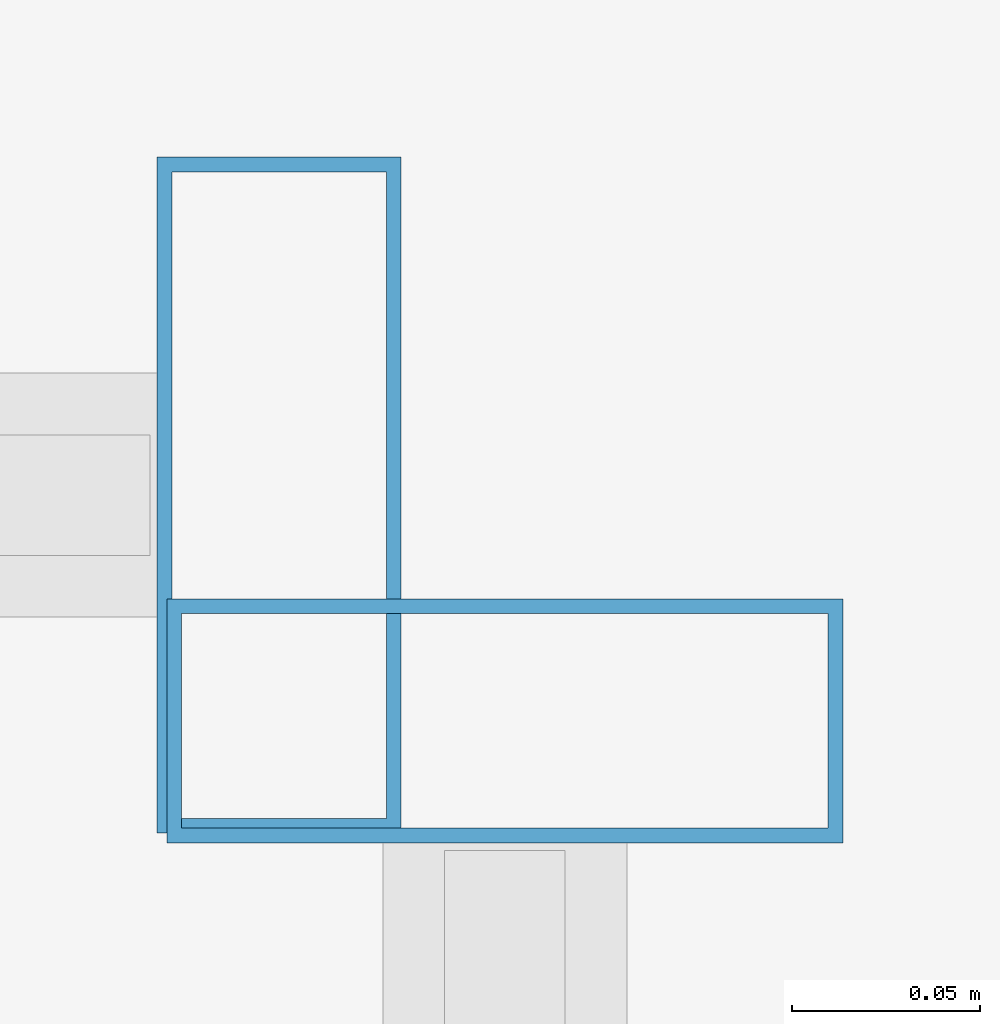
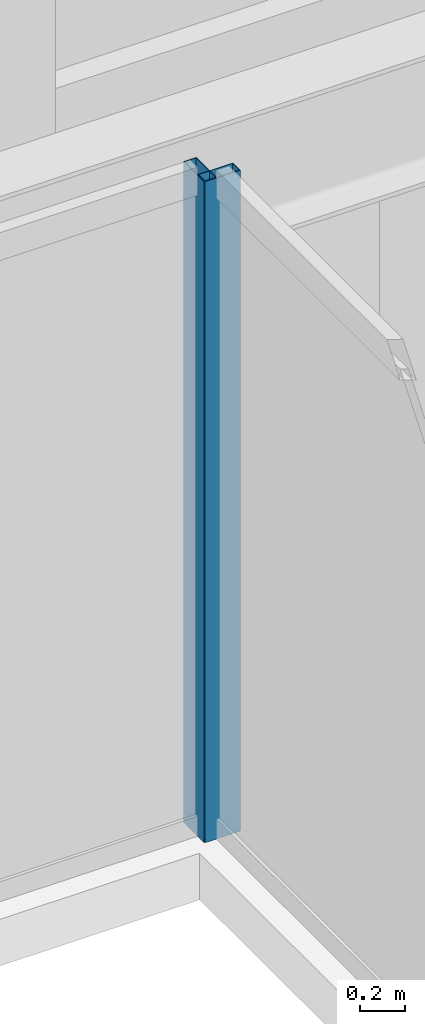
# One storey, part 13 of 37: 2 members, 2 elements without a shape of their own.
"""IFC4 building model written with IfcOpenShell, lengths in metres."""

import ifcopenshell
import ifcopenshell.guid

model = None  # the IFC model being written
_history = None  # IfcOwnerHistory: only IFC2X3 demands one
_inside = {}  # id of a spatial element -> (the spatial element, [elements in it])
_under = {}  # id of a project, library or spatial element -> (it, [spatial elements below it])
_declared = {}  # id of a project -> (the project, [libraries it declares])
_typed = {}  # id of a type object -> (the type object, [elements of that type])
_made_of = {}  # id of a material, layer set ... -> (it, [elements and type objects made of it])


def new_model(schema):
    """Start an empty IFC model of exactly this schema.

    Asked for "IFC4X3", IfcOpenShell would pick the latest addendum, in which some entities
    have other attributes; the version numbers below select the first issue.
    IFC2X3 requires an IfcOwnerHistory on every rooted entity: one is made here for all.
    """
    global model, _history
    if schema == "IFC4X3":
        model = ifcopenshell.file(schema_version=(4, 3, 0, 0))
    else:
        model = ifcopenshell.file(schema=schema)
    _inside.clear()
    _under.clear()
    _declared.clear()
    _typed.clear()
    _made_of.clear()
    _history = None
    if model.schema == "IFC2X3":
        org = make("IfcOrganization", Name="unknown")
        user = make(
            "IfcPersonAndOrganization",
            ThePerson=make("IfcPerson", FamilyName="unknown"),
            TheOrganization=org,
        )
        app = make(
            "IfcApplication",
            ApplicationDeveloper=org,
            Version="unknown",
            ApplicationFullName="unknown",
            ApplicationIdentifier="unknown",
        )
        _history = make(
            "IfcOwnerHistory",
            OwningUser=user,
            OwningApplication=app,
            ChangeAction="ADDED",
            CreationDate=0,
        )
    return model


def make(cls, **values):
    """One entity of the class cls with the attributes given. An attribute that is None is left unset."""
    return model.create_entity(
        cls, **{name: value for name, value in values.items() if value is not None}
    )


def rooted(cls, **values):
    """An entity with a GlobalId (a new one), such as an element, a storey or a relation."""
    return make(cls, GlobalId=ifcopenshell.guid.new(), OwnerHistory=_history, **values)


def si_unit(unit_type, name, prefix=None):
    """IfcSIUnit, for example si_unit("LENGTHUNIT", "METRE", prefix="MILLI")."""
    return make("IfcSIUnit", UnitType=unit_type, Prefix=prefix, Name=name)


def assignment(units):
    """IfcUnitAssignment: the units of a project."""
    return None if units is None else make("IfcUnitAssignment", Units=units)


def point(xyz):
    """IfcCartesianPoint."""
    return None if xyz is None else make("IfcCartesianPoint", Coordinates=xyz)


def direction(xyz):
    """IfcDirection."""
    return None if xyz is None else make("IfcDirection", DirectionRatios=xyz)


def frame(location, z_axis=None, x_axis=None):
    """IfcAxis2Placement3D, a coordinate frame: its origin and axes. An axis left out is left unset."""
    return make(
        "IfcAxis2Placement3D",
        Location=point(location),
        Axis=direction(z_axis),
        RefDirection=direction(x_axis),
    )


def frame_2d(location, x_axis=None):
    """IfcAxis2Placement2D, a coordinate frame in the plane: its origin and x axis."""
    return make(
        "IfcAxis2Placement2D", Location=point(location), RefDirection=direction(x_axis)
    )


def origin():
    """The frame at (0, 0, 0) with its axes left unset."""
    return frame((0.0, 0.0, 0.0))


def origin_2d():
    """The frame at (0, 0) in the plane with its x axis left unset."""
    return frame_2d((0.0, 0.0))


def place(relative_to, where):
    """IfcLocalPlacement: puts the frame where relative to a parent placement (None: the world)."""
    return make(
        "IfcLocalPlacement", PlacementRelTo=relative_to, RelativePlacement=where
    )


def context(
    kind, dimensions, precision=None, world=None, true_north=None, identifier=None
):
    """IfcGeometricRepresentationContext, for example the 3D "Model" context."""
    return make(
        "IfcGeometricRepresentationContext",
        ContextIdentifier=identifier,
        ContextType=kind,
        CoordinateSpaceDimension=dimensions,
        Precision=precision,
        WorldCoordinateSystem=world,
        TrueNorth=true_north,
    )


def subcontext(parent, identifier, kind, view, scale=None):
    """IfcGeometricRepresentationSubContext, for example "Body" below "Model"."""
    return make(
        "IfcGeometricRepresentationSubContext",
        ContextIdentifier=identifier,
        ContextType=kind,
        ParentContext=parent,
        TargetScale=scale,
        TargetView=view,
    )


def project(units=None, contexts=None):
    """IfcProject with its units and contexts."""
    return rooted(
        "IfcProject",
        Name="project",
        RepresentationContexts=contexts,
        UnitsInContext=assignment(units),
    )


def spatial(cls, under=None, at=None, **own):
    """A site, building, storey or space (cls), placed at a placement, below another one or the project."""
    s = rooted(cls, ObjectPlacement=at, **own)
    if under is not None:
        _under.setdefault(under.id(), (under, []))[1].append(s)
    return s


def profile(cls, at=None, kind="AREA", **sizes):
    """A parametric profile (cls). Its sizes go by their IFC names, for example OverallWidth=200.0."""
    return make(cls, ProfileType=kind, Position=at, **sizes)


def hollow_rectangle(**sizes):
    """IfcRectangleHollowProfileDef."""
    return profile("IfcRectangleHollowProfileDef", **sizes)


def extrude(swept, where, along, depth):
    """IfcExtrudedAreaSolid: the profile swept, set in the frame where, extruded along a direction by depth."""
    return make(
        "IfcExtrudedAreaSolid",
        SweptArea=swept,
        Position=where,
        ExtrudedDirection=direction(along),
        Depth=depth,
    )


def shape(context_of_items, identifier, shape_type, items):
    """IfcShapeRepresentation: the items that make up one representation, for example the "Body"."""
    return make(
        "IfcShapeRepresentation",
        ContextOfItems=context_of_items,
        RepresentationIdentifier=identifier,
        RepresentationType=shape_type,
        Items=items,
    )


def material(Name=None, Category=None):
    """IfcMaterial."""
    return make("IfcMaterial", Name=Name, Category=Category)


def material_profile(
    of_material, cross_section, Name=None, Category=None, Priority=None
):
    """IfcMaterialProfile: a cross section and its material."""
    return make(
        "IfcMaterialProfile",
        Name=Name,
        Material=of_material,
        Profile=cross_section,
        Priority=Priority,
        Category=Category,
    )


def profile_set(profiles, Name=None, composite=None):
    """IfcMaterialProfileSet."""
    return make(
        "IfcMaterialProfileSet",
        Name=Name,
        MaterialProfiles=profiles,
        CompositeProfile=composite,
    )


def made_of(thing, what):
    """Note that an element or type object is made of a material, layer set ...; save() writes the relation."""
    if what is not None:
        _made_of.setdefault(what.id(), (what, []))[1].append(thing)
    return thing


def type_object(cls, material=None, **own):
    """A type object (cls), such as IfcWallType, which elements share."""
    return made_of(rooted(cls, **own), material)


def element(
    cls,
    number,
    at=None,
    inside=None,
    cuts=None,
    type_object=None,
    material=None,
    context=None,
    identifier="Body",
    shape_type=None,
    held_by="IfcProductDefinitionShape",
    body=None,
    shapes=None,
    **own,
):
    """One element of the class cls, such as IfcWall. Its Tag is "e" and its number.

    at: its placement. inside: the storey or other place that contains it. cuts: it is an
    opening in that element (IfcRelVoidsElement). A single representation is given by context,
    identifier, shape_type and body (its items); several are given by shapes. held_by: the class
    of the entity that holds the representations. save() writes the other relations.
    """
    e = rooted(cls, Tag="e%d" % number, ObjectPlacement=at, **own)
    if body is not None:
        shapes = [shape(context, identifier, shape_type, body)]
    if shapes is not None:
        e.Representation = make(held_by, Representations=shapes)
    if inside is not None:
        _inside.setdefault(inside.id(), (inside, []))[1].append(e)
    if cuts is not None:
        rooted(
            "IfcRelVoidsElement", RelatingBuildingElement=cuts, RelatedOpeningElement=e
        )
    if type_object is not None:
        _typed.setdefault(type_object.id(), (type_object, []))[1].append(e)
    return made_of(e, material)


def aggregate(whole, parts):
    """IfcRelAggregates: a whole, such as a stair, and the parts it consists of."""
    return rooted("IfcRelAggregates", RelatingObject=whole, RelatedObjects=parts)


def save(model, path):
    """Write the relations noted so far, then the file.

    IfcRelAggregates (storeys below a building ...), IfcRelContainedInSpatialStructure (elements
    in a storey), IfcRelDefinesByType, IfcRelAssociatesMaterial and IfcRelDeclares: one each for
    every whole, place, type object, material and project.
    """
    for whole, parts in _under.values():
        aggregate(whole, parts)
    for where, things in _inside.values():
        rooted(
            "IfcRelContainedInSpatialStructure",
            RelatedElements=things,
            RelatingStructure=where,
        )
    for kind, things in _typed.values():
        rooted("IfcRelDefinesByType", RelatedObjects=things, RelatingType=kind)
    for what, things in _made_of.values():
        rooted("IfcRelAssociatesMaterial", RelatedObjects=things, RelatingMaterial=what)
    for by, libraries in _declared.values():
        rooted("IfcRelDeclares", RelatingContext=by, RelatedDefinitions=libraries)
    model.write(path)


model = new_model("IFC4")

# Units and contexts
model_context = context("Model", 3, precision=1e-05, world=origin(), true_north=direction((0.0, 1.0)))
body_context = subcontext(model_context, "Body", "Model", "MODEL_VIEW")
ifc_project = project(units=[si_unit("LENGTHUNIT", "METRE"), si_unit("AREAUNIT", "SQUARE_METRE"), si_unit("VOLUMEUNIT", "CUBIC_METRE"), si_unit("PLANEANGLEUNIT", "RADIAN"), si_unit("MASSUNIT", "GRAM", prefix="KILO")], contexts=[model_context])

# Site, building, storey
site_placement = place(None, origin())
site = spatial("IfcSite", under=ifc_project, at=site_placement, CompositionType="ELEMENT")
building_placement = place(site_placement, origin())
building = spatial("IfcBuilding", under=site, at=building_placement, Name="Saevonmaru Cultural Tower", CompositionType="ELEMENT")
storey_placement = place(building_placement, frame((0.0, 0.0, 141.0)))
storey = spatial("IfcBuildingStorey", under=building, at=storey_placement, Name="L30", CompositionType="ELEMENT", Elevation=141.0)

# Curtain wall, member
ifc_material = material(Name="Satin Bronze Anodised Aluminium", Category="aluminium")
curtain_wall_type = type_object("IfcCurtainWallType", Name="CW-ATR-GLZ", PredefinedType="NOTDEFINED", material=ifc_material)
curtain_wall_1_placement = place(storey_placement, origin())
curtain_wall_1 = element("IfcCurtainWall", 1, at=curtain_wall_1_placement, inside=storey, type_object=curtain_wall_type, Name="L30 Vertical Atrium Glazed Smoke Screen 2", PredefinedType="NOTDEFINED")
ifc_material_profile = material_profile(ifc_material, hollow_rectangle(XDim=0.06494140625, YDim=0.179931640625, WallThickness=0.00390625, at=origin_2d()), Name="ALU-MULL-180x65x4")
ifc_profile_set = profile_set([ifc_material_profile], Name="Satin Bronze Anodised Aluminium")
member_type = type_object("IfcMemberType", Name="ML-CW-INT-180x65", PredefinedType="MULLION", material=ifc_profile_set)
member_1_placement = place(storey_placement, frame((35.949951171875, 37.2900390625, 0.0), z_axis=(0.0, 0.0, 1.0), x_axis=(0.0, 1.0, 0.0)))
member_1 = element("IfcMember", 2, at=member_1_placement, type_object=member_type, Name="CW-ATR-L30-2 mullion 2", PredefinedType="MULLION", context=body_context, shape_type="SweptSolid", body=[
    extrude(hollow_rectangle(XDim=0.06494140625, YDim=0.179931640625, WallThickness=0.00390625, at=origin_2d()), origin(), (0.0, 0.0, 1.0), 3.550048828125),
])
aggregate(curtain_wall_1, [member_1])

curtain_wall_2_placement = place(storey_placement, origin())
curtain_wall_2 = element("IfcCurtainWall", 3, at=curtain_wall_2_placement, inside=storey, type_object=curtain_wall_type, Name="L30 Vertical Atrium Glazed Smoke Screen 3", PredefinedType="NOTDEFINED")
member_2_placement = place(storey_placement, frame((35.889892578125, 37.35009765625, 0.0), z_axis=(0.0, 0.0, 1.0), x_axis=(-1.0, 0.0, 0.0)))
member_2 = element("IfcMember", 4, at=member_2_placement, type_object=member_type, Name="CW-ATR-L30-3 mullion 1", PredefinedType="MULLION", context=body_context, shape_type="SweptSolid", body=[
    extrude(hollow_rectangle(XDim=0.06494140625, YDim=0.179931640625, WallThickness=0.00390625, at=origin_2d()), origin(), (0.0, 0.0, 1.0), 3.550048828125),
])
aggregate(curtain_wall_2, [member_2])

save(model, "model.ifc")
